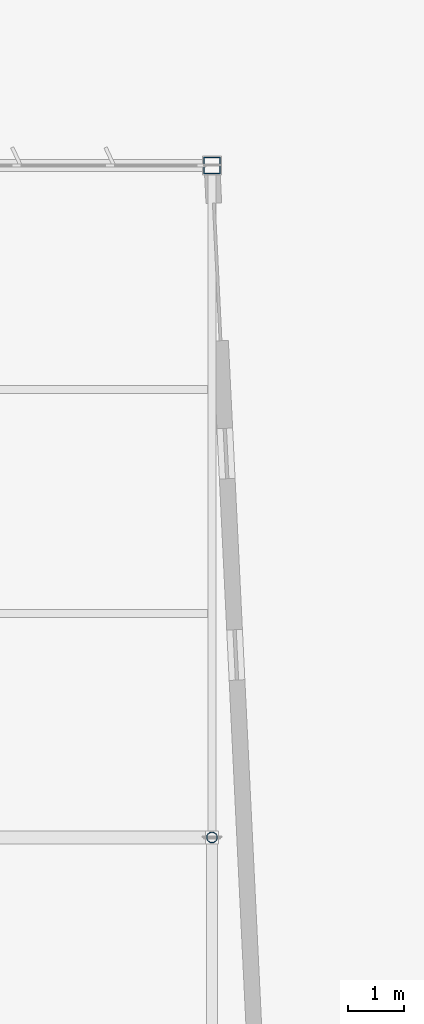
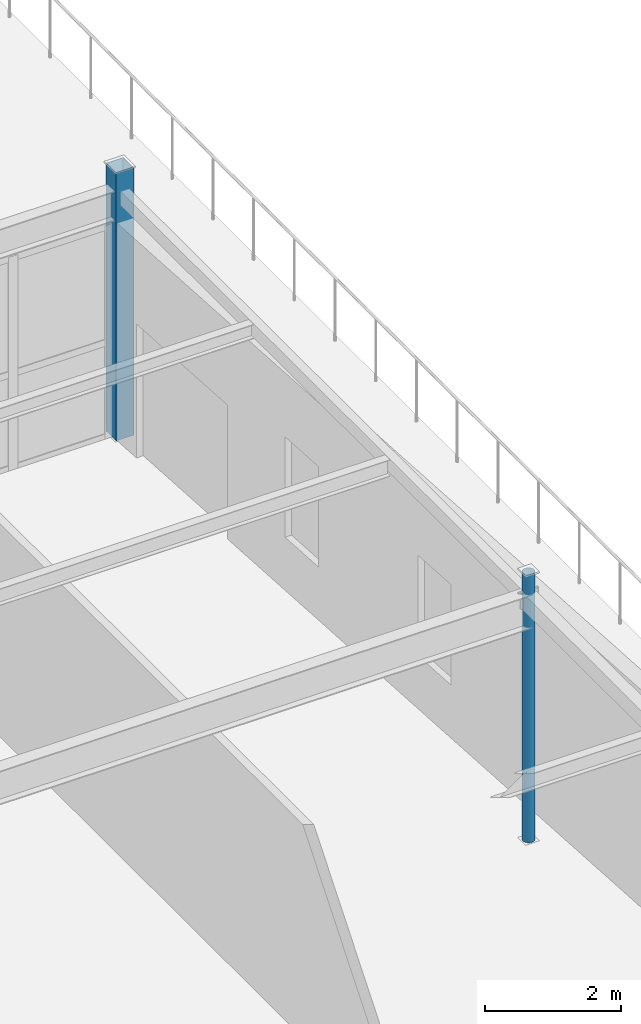
# One storey, part 50 of 199: 2 columns.
"""IFC4 building model written with IfcOpenShell, lengths in metres."""

from ifc_helpers import new_model, si_unit, direction, frame, origin, origin_2d, place, context, subcontext, project, spatial, hollow_rectangle, hollow_circle, extrude, material, material_profile, profile_set, type_object, element, save


model = new_model("IFC4")

# Units and contexts
model_context = context("Model", 3, precision=1e-05, world=origin(), true_north=direction((0.0, 1.0)))
body_context = subcontext(model_context, "Body", "Model", "MODEL_VIEW")
ifc_project = project(units=[si_unit("LENGTHUNIT", "METRE"), si_unit("AREAUNIT", "SQUARE_METRE"), si_unit("VOLUMEUNIT", "CUBIC_METRE"), si_unit("PLANEANGLEUNIT", "RADIAN"), si_unit("MASSUNIT", "GRAM", prefix="KILO")], contexts=[model_context])

# Site, building, storey
site_placement = place(None, origin())
site = spatial("IfcSite", under=ifc_project, at=site_placement, CompositionType="ELEMENT")
building_placement = place(site_placement, origin())
building = spatial("IfcBuilding", under=site, at=building_placement, Name="Tarnwether General Hospital", CompositionType="ELEMENT")
storey_placement = place(building_placement, origin())
storey = spatial("IfcBuildingStorey", under=building, at=storey_placement, Name="L00", CompositionType="ELEMENT", Elevation=0.0)

# Columns
ifc_material_1 = material(Name="Steel Grade C350L0 (350 MPa)", Category="steel")
ifc_material_profile_1 = material_profile(ifc_material_1, hollow_circle(Radius=0.096923828125, WallThickness=0.008056640625, at=origin_2d()), Name="CHS193.7x8.0")
ifc_profile_set_1 = profile_set([ifc_material_profile_1], Name="Steel Grade C350L0 (350 MPa)")
column_type_1 = type_object("IfcColumnType", Name="COL-29", PredefinedType="COLUMN", material=ifc_profile_set_1)
column_1_placement = place(storey_placement, frame((192.0, 33.60009765625, 0.0), z_axis=(0.0, 0.0, 1.0), x_axis=(1.0, 0.0, 0.0)))
element("IfcColumn", 1, at=column_1_placement, inside=storey, type_object=column_type_1, Name="Column COLG-L00-19200_3360", PredefinedType="COLUMN", context=body_context, shape_type="SweptSolid", body=[
    extrude(hollow_circle(Radius=0.096923828125, WallThickness=0.008056640625, at=origin_2d()), origin(), (0.0, 0.0, 1.0), 4.800048828125),
])
ifc_material_2 = material(Name="Steel Grade C350L0 (350 MPa)", Category="steel")
ifc_material_profile_2 = material_profile(ifc_material_2, hollow_rectangle(XDim=0.300048828125, YDim=0.300048828125, WallThickness=0.012451171875, at=origin_2d()), Name="SHS300x300x12.5")
ifc_profile_set_2 = profile_set([ifc_material_profile_2], Name="Steel Grade C350L0 (350 MPa)")
column_type_2 = type_object("IfcColumnType", Name="COL-30", PredefinedType="COLUMN", material=ifc_profile_set_2)
column_2_placement = place(storey_placement, frame((192.0, 45.60009765625, 0.0), z_axis=(0.0, 0.0, 1.0), x_axis=(1.0, 0.0, 0.0)))
element("IfcColumn", 2, at=column_2_placement, inside=storey, type_object=column_type_2, Name="Column COLG-L00-19200_4560", PredefinedType="COLUMN", context=body_context, shape_type="SweptSolid", body=[
    extrude(hollow_rectangle(XDim=0.300048828125, YDim=0.300048828125, WallThickness=0.012451171875, at=origin_2d()), origin(), (0.0, 0.0, 1.0), 4.800048828125),
])

save(model, "model.ifc")
